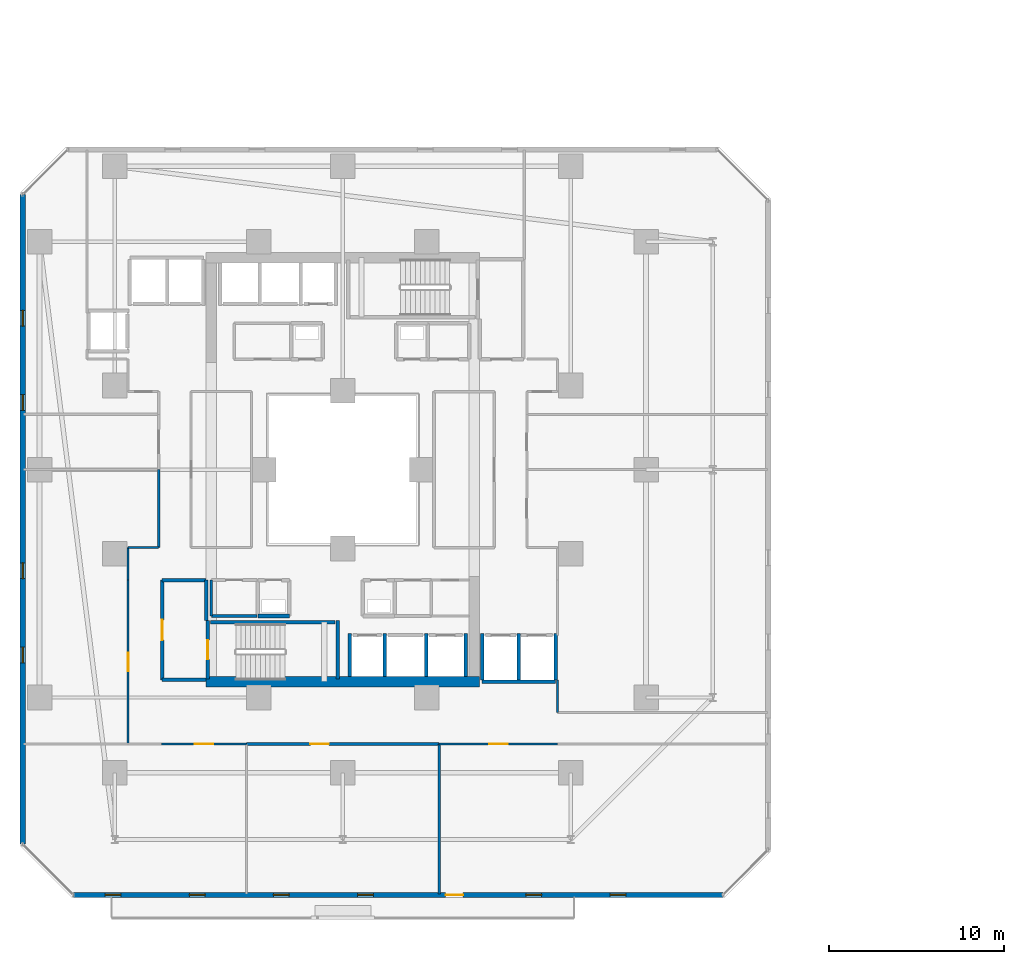
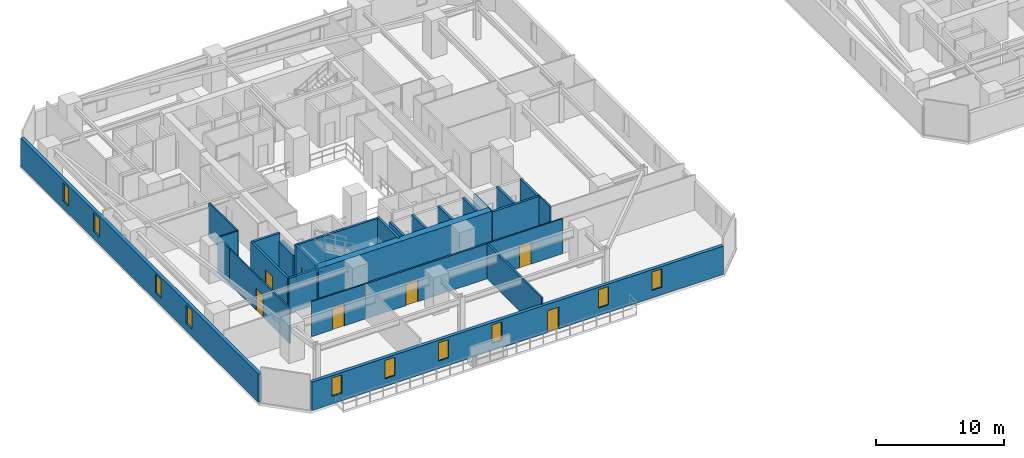
# One storey, part 21 of 35: 30 walls, 10 windows, 7 doors, 17 openings.
"""IFC4 building model written with IfcOpenShell, lengths in metres."""

from ifc_helpers import new_model, si_unit, direction, frame, frame_2d, origin, place, context, subcontext, project, spatial, rectangle, extrude, material, layer, layer_set, type_object, element, fill, save


model = new_model("IFC4")

# Units and contexts
model_context = context("Model", 3, precision=1e-05, world=origin(), true_north=direction((0.0, 1.0)))
body_context = subcontext(model_context, "Body", "Model", "MODEL_VIEW")
ifc_project = project(units=[si_unit("LENGTHUNIT", "METRE"), si_unit("AREAUNIT", "SQUARE_METRE"), si_unit("VOLUMEUNIT", "CUBIC_METRE"), si_unit("PLANEANGLEUNIT", "RADIAN"), si_unit("MASSUNIT", "GRAM", prefix="KILO")], contexts=[model_context])

# Site, building, storey
site_placement = place(None, origin())
site = spatial("IfcSite", under=ifc_project, at=site_placement, CompositionType="ELEMENT")
building_placement = place(site_placement, origin())
building = spatial("IfcBuilding", under=site, at=building_placement, Name="Thornwick Lancets Civic Towers", CompositionType="ELEMENT")
storey_placement = place(building_placement, frame((0.0, 0.0, 64.5)))
storey = spatial("IfcBuildingStorey", under=building, at=storey_placement, Name="L16", CompositionType="ELEMENT", Elevation=64.5)

# Walls
ifc_material_1 = material(Name="Concrete blockwork C40/50", Category="masonry")
ifc_layer_1 = layer(ifc_material_1, 0.199951171875, Name="Concrete blockwork C40/50")
ifc_layer_set_1 = layer_set([ifc_layer_1], Name="Concrete blockwork C40/50")
wall_type_1 = type_object("IfcWallType", Name="WALL_COMP_200", PredefinedType="STANDARD", material=ifc_layer_set_1)
for number, where, z_axis, x_axis, name in (
    (1, (27.89990234375, 15.2119140625, 0.0), (0.0, 0.0, 1.0), (0.0, 1.0, 0.0), "L16 Hoistway Shaft Wall FL-A1 E"),
    (2, (25.89990234375, 15.2119140625, 0.0), (0.0, 0.0, 1.0), (0.0, 1.0, 0.0), "L16 Hoistway Shaft Wall FL-A1 W"),
    (3, (30.25, 15.2119140625, 0.0), (0.0, 0.0, 1.0), (0.0, 1.0, 0.0), "L16 Hoistway Shaft Wall PL-AH1 E"),
    (4, (32.5, 15.2119140625, 0.0), (0.0, 0.0, 1.0), (0.0, 1.0, 0.0), "L16 Hoistway Shaft Wall PL-AL1 E"),
):
    element("IfcWall", number, at=place(storey_placement, frame(where, z_axis=z_axis, x_axis=x_axis)), inside=storey, type_object=wall_type_1, Name=name, PredefinedType="STANDARD", context=body_context, shape_type="SweptSolid", body=[
        extrude(rectangle(XDim=2.43603515625, YDim=0.199951171875, at=frame_2d((1.218017578125, 0.0))), origin(), (0.0, 0.0, 1.0), 3.340087890625),
    ])
wall_1_placement = place(storey_placement, frame((33.451904296875, 14.89990234375, 0.0), z_axis=(0.0, 0.0, 1.0), x_axis=(1.0, 0.0, 0.0)))
element("IfcWall", 5, at=wall_1_placement, inside=storey, type_object=wall_type_1, Name="L16 Hoistway Shaft Wall PL-AL2 S", PredefinedType="STANDARD", context=body_context, shape_type="SweptSolid", body=[
    extrude(rectangle(XDim=4.196044921875, YDim=0.199951171875, at=frame_2d((2.09814453125, 0.0))), origin(), (0.0, 0.0, 1.0), 3.340087890625),
])
for number, where, z_axis, x_axis, name in (
    (6, (35.52490234375, 15.011962890625, 0.0), (0.0, 0.0, 1.0), (0.0, 1.0, 0.0), "L16 Hoistway Shaft Wall PL-AL2 E"),
    (7, (33.449951171875, 15.011962890625, 0.0), (0.0, 0.0, 1.0), (0.0, 1.0, 0.0), "L16 Hoistway Shaft Wall PL-AL2 W"),
    (8, (37.64990234375, 15.011962890625, 0.0), (0.0, 0.0, 1.0), (0.0, 1.0, 0.0), "L16 Hoistway Shaft Wall PL-AL3 E"),
):
    element("IfcWall", number, at=place(storey_placement, frame(where, z_axis=z_axis, x_axis=x_axis)), inside=storey, type_object=wall_type_1, Name=name, PredefinedType="STANDARD", context=body_context, shape_type="SweptSolid", body=[
        extrude(rectangle(XDim=2.635986328125, YDim=0.199951171875, at=frame_2d((1.31787109375, 0.0))), origin(), (0.0, 0.0, 1.0), 3.340087890625),
    ])
wall_2_placement = place(storey_placement, frame((15.199951171875, 15.0, 0.0), z_axis=(0.0, 0.0, 1.0), x_axis=(1.0, 0.0, 0.0)))
element("IfcWall", 9, at=wall_2_placement, inside=storey, type_object=wall_type_1, Name="L16 Partition L16-A-FFLOB1 E1", PredefinedType="STANDARD", context=body_context, shape_type="SweptSolid", body=[
    extrude(rectangle(XDim=2.5, YDim=0.199951171875, at=frame_2d((1.25, 0.0))), origin(), (0.0, 0.0, 1.0), 3.340087890625),
])
wall_3_placement = place(storey_placement, frame((17.699951171875, 18.39990234375, 0.0), z_axis=(0.0, 0.0, 1.0), x_axis=(0.0, 1.0, 0.0)))
element("IfcWall", 10, at=wall_3_placement, inside=storey, type_object=wall_type_1, Name="L16 Partition L16-A-FFLOB1 E2", PredefinedType="STANDARD", context=body_context, shape_type="SweptSolid", body=[
    extrude(rectangle(XDim=2.300048828125, YDim=0.199951171875, at=frame_2d((1.14990234375, 0.0))), origin(), (0.0, 0.0, 1.0), 2.544921875),
])
wall_4_placement = place(storey_placement, frame((17.699951171875, 20.699951171875, 0.0), z_axis=(0.0, 0.0, 1.0), x_axis=(-1.0, 0.0, 0.0)))
element("IfcWall", 11, at=wall_4_placement, inside=storey, type_object=wall_type_1, Name="L16 Partition L16-A-FFLOB1 E3", PredefinedType="STANDARD", context=body_context, shape_type="SweptSolid", body=[
    extrude(rectangle(XDim=2.5, YDim=0.199951171875, at=frame_2d((1.25, 0.0))), origin(), (0.0, 0.0, 1.0), 3.340087890625),
])

# Wall, opening, door
wall_5_placement = place(storey_placement, frame((15.199951171875, 20.699951171875, 0.0), z_axis=(0.0, 0.0, 1.0), x_axis=(0.0, -1.0, 0.0)))
wall_5 = element("IfcWall", 12, at=wall_5_placement, inside=storey, type_object=wall_type_1, Name="L16 Partition L16-A-FFLOB1 E4", PredefinedType="STANDARD", context=body_context, shape_type="SweptSolid", body=[
    extrude(rectangle(XDim=5.699951171875, YDim=0.199951171875, at=frame_2d((2.85009765625, 0.0))), origin(), (0.0, 0.0, 1.0), 3.340087890625),
])
opening_1_placement = place(wall_5_placement, frame((2.27490234375, 0.0, 0.0)))
opening_1 = element("IfcOpeningElement", 13, at=opening_1_placement, cuts=wall_5, Name="Opening D-L16-0753", PredefinedType="OPENING", context=body_context, shape_type="SweptSolid", body=[
    extrude(rectangle(XDim=1.14990234375, YDim=2.10009765625, at=frame_2d((0.574951171875, 1.050048828125))), frame((0.0, 0.10986328125, 0.0), z_axis=(0.0, -1.0, 0.0), x_axis=(1.0, 0.0, 0.0)), (0.0, 0.0, 1.0), 0.219970703125),
])
ifc_material_2 = material(Name="Glazed fire-resisting steel", Category="steel")
door_type_1 = type_object("IfcDoorType", Name="DOOR_LOBBY_FD60", OperationType="NOTDEFINED", PredefinedType="DOOR", material=ifc_material_2)
door_1_placement = place(opening_1_placement, origin())
door_1 = element("IfcDoor", 14, at=door_1_placement, inside=storey, type_object=door_type_1, Name="L16 South Firefighting Lobby 1 Door", OperationType="SINGLE_SWING_RIGHT", OverallHeight=2.10009765625, OverallWidth=1.14990234375, PredefinedType="DOOR", context=body_context, shape_type="SweptSolid", body=[
    extrude(rectangle(XDim=1.14990234375, YDim=2.10009765625, at=frame_2d((0.574951171875, 1.050048828125))), frame((0.0, 0.02490234375, 0.0), z_axis=(0.0, -1.0, 0.0), x_axis=(1.0, 0.0, 0.0)), (0.0, 0.0, 1.0), 0.050048828125),
])
fill(opening_1, door_1)

# Walls
wall_6_placement = place(storey_placement, frame((20.64990234375, 18.64990234375, 0.0), z_axis=(0.0, 0.0, 1.0), x_axis=(1.0, 0.0, 0.0)))
element("IfcWall", 15, at=wall_6_placement, inside=storey, type_object=wall_type_1, Name="L16 Partition L16-A-RISER1 E1", PredefinedType="STANDARD", context=body_context, shape_type="SweptSolid", body=[
    extrude(rectangle(XDim=1.800048828125, YDim=0.199951171875, at=frame_2d((0.89990234375, 0.0))), origin(), (0.0, 0.0, 1.0), 3.340087890625),
])
ifc_material_3 = material(Name="Concrete C60/75", Category="concrete")
ifc_layer_2 = layer(ifc_material_3, 0.60009765625, Name="Concrete C60/75")
ifc_layer_set_2 = layer_set([ifc_layer_2], Name="Concrete C60/75")
wall_type_2 = type_object("IfcWallType", Name="WALL_CORE_600", PredefinedType="SHEAR", material=ifc_layer_set_2)
wall_7_placement = place(storey_placement, frame((17.699951171875, 14.89990234375, 0.0), z_axis=(0.0, 0.0, 1.0), x_axis=(1.0, 0.0, 0.0)))
element("IfcWall", 16, at=wall_7_placement, inside=storey, type_object=wall_type_2, Name="L16 Split Core A1 Shear Wall S", PredefinedType="SHEAR", context=body_context, shape_type="SweptSolid", body=[
    extrude(rectangle(XDim=15.60009765625, YDim=0.60009765625, at=frame_2d((7.800048828125, 0.0))), origin(), (0.0, 0.0, 1.0), 3.60009765625),
])

# Wall, openings, door, windows
ifc_material_4 = material(Name="Insulated russet terracotta rainscreen on concrete C40/50", Category="masonry")
ifc_layer_3 = layer(ifc_material_4, 0.300048828125, Name="Insulated russet terracotta rainscreen on concrete C40/50")
ifc_layer_set_3 = layer_set([ifc_layer_3], Name="Insulated russet terracotta rainscreen on concrete C40/50")
wall_type_3 = type_object("IfcWallType", Name="WALL_EXT_RUSSET_300", PredefinedType="STANDARD", material=ifc_layer_set_3)
wall_8_placement = place(storey_placement, frame((10.14453125, 2.736328125, 0.0), z_axis=(0.0, 0.0, 1.0), x_axis=(0.999999999457, -3.2959355e-05, 0.0)))
wall_8 = element("IfcWall", 17, at=wall_8_placement, inside=storey, type_object=wall_type_3, Name="L16 Tower A Terracotta Facade Wall E0", PredefinedType="STANDARD", context=body_context, shape_type="SweptSolid", body=[
    extrude(rectangle(XDim=37.03662109375, YDim=0.300048828125, at=frame_2d((18.518310546875, 0.0))), origin(), (0.0, 0.0, 1.0), 2.699951171875),
])
opening_2_placement = place(wall_8_placement, frame((21.21826171875, 0.0, 0.0)))
opening_2 = element("IfcOpeningElement", 18, at=opening_2_placement, cuts=wall_8, Name="Opening D-BL-L16-AS", PredefinedType="OPENING", context=body_context, shape_type="SweptSolid", body=[
    extrude(rectangle(XDim=1.0, YDim=2.080078125, at=frame_2d((0.5, 1.0400390625))), frame((0.0, 0.16015625, 0.0), z_axis=(0.0, -1.0, 0.0), x_axis=(1.0, 0.0, 0.0)), (0.0, 0.0, 1.0), 0.320068359375),
])
opening_3_placement = place(wall_8_placement, frame((1.800048828125, 0.0, 0.719970703125)))
opening_3 = element("IfcOpeningElement", 19, at=opening_3_placement, cuts=wall_8, Name="Opening WL-01", PredefinedType="OPENING", context=body_context, shape_type="SweptSolid", body=[
    extrude(rectangle(XDim=0.89990234375, YDim=1.75, at=frame_2d((0.449951171875, 0.875))), frame((0.0, 0.16015625, 0.0), z_axis=(0.0, -1.0, 0.0), x_axis=(1.0, 0.0, 0.0)), (0.0, 0.0, 1.0), 0.320068359375),
])
opening_4_placement = place(wall_8_placement, frame((6.60009765625, 0.0, 0.719970703125)))
opening_4 = element("IfcOpeningElement", 20, at=opening_4_placement, cuts=wall_8, Name="Opening WL-01", PredefinedType="OPENING", context=body_context, shape_type="SweptSolid", body=[
    extrude(rectangle(XDim=0.89990234375, YDim=1.75, at=frame_2d((0.449951171875, 0.875))), frame((0.0, 0.16015625, 0.0), z_axis=(0.0, -1.0, 0.0), x_axis=(1.0, 0.0, 0.0)), (0.0, 0.0, 1.0), 0.320068359375),
])
opening_5_placement = place(wall_8_placement, frame((11.39990234375, 0.0, 0.719970703125)))
opening_5 = element("IfcOpeningElement", 21, at=opening_5_placement, cuts=wall_8, Name="Opening WL-01", PredefinedType="OPENING", context=body_context, shape_type="SweptSolid", body=[
    extrude(rectangle(XDim=0.89990234375, YDim=1.75, at=frame_2d((0.449951171875, 0.875))), frame((0.0, 0.16015625, 0.0), z_axis=(0.0, -1.0, 0.0), x_axis=(1.0, 0.0, 0.0)), (0.0, 0.0, 1.0), 0.320068359375),
])
opening_6_placement = place(wall_8_placement, frame((16.199951171875, 0.0, 0.719970703125)))
opening_6 = element("IfcOpeningElement", 22, at=opening_6_placement, cuts=wall_8, Name="Opening WL-01", PredefinedType="OPENING", context=body_context, shape_type="SweptSolid", body=[
    extrude(rectangle(XDim=0.89990234375, YDim=1.75, at=frame_2d((0.449951171875, 0.875))), frame((0.0, 0.16015625, 0.0), z_axis=(0.0, -1.0, 0.0), x_axis=(1.0, 0.0, 0.0)), (0.0, 0.0, 1.0), 0.320068359375),
])
opening_7_placement = place(wall_8_placement, frame((25.800048828125, 0.0, 0.719970703125)))
opening_7 = element("IfcOpeningElement", 23, at=opening_7_placement, cuts=wall_8, Name="Opening WL-01", PredefinedType="OPENING", context=body_context, shape_type="SweptSolid", body=[
    extrude(rectangle(XDim=0.89990234375, YDim=1.75, at=frame_2d((0.449951171875, 0.875))), frame((0.0, 0.16015625, 0.0), z_axis=(0.0, -1.0, 0.0), x_axis=(1.0, 0.0, 0.0)), (0.0, 0.0, 1.0), 0.320068359375),
])
opening_8_placement = place(wall_8_placement, frame((30.60009765625, 0.0, 0.719970703125)))
opening_8 = element("IfcOpeningElement", 24, at=opening_8_placement, cuts=wall_8, Name="Opening WL-01", PredefinedType="OPENING", context=body_context, shape_type="SweptSolid", body=[
    extrude(rectangle(XDim=0.89990234375, YDim=1.75, at=frame_2d((0.449951171875, 0.875))), frame((0.0, 0.16015625, 0.0), z_axis=(0.0, -1.0, 0.0), x_axis=(1.0, 0.0, 0.0)), (0.0, 0.0, 1.0), 0.320068359375),
])
ifc_material_5 = material(Name="Thermally broken glazed loggia doorset")
door_type_2 = type_object("IfcDoorType", Name="DOOR_BALC_1000", OperationType="NOTDEFINED", PredefinedType="DOOR", material=ifc_material_5)
door_2_placement = place(opening_2_placement, origin())
door_2 = element("IfcDoor", 25, at=door_2_placement, inside=storey, type_object=door_type_2, Name="L16 Tower A Loggia Balcony Door S", OperationType="SINGLE_SWING_LEFT", OverallHeight=2.080078125, OverallWidth=1.0, PredefinedType="DOOR", context=body_context, shape_type="SweptSolid", body=[
    extrude(rectangle(XDim=1.0, YDim=2.080078125, at=frame_2d((0.5, 1.0400390625))), frame((0.0, 0.02490234375, 0.0), z_axis=(0.0, -1.0, 0.0), x_axis=(1.0, 0.0, 0.0)), (0.0, 0.0, 1.0), 0.050048828125),
])
fill(opening_2, door_2)
ifc_material_6 = material(Name="Clear low-e double glazing in bronze frame", Category="glass")
window_type = type_object("IfcWindowType", Name="WIN_LANCET_900", PartitioningType="SINGLE_PANEL", PredefinedType="WINDOW", material=ifc_material_6)
window_1_placement = place(opening_3_placement, origin())
window_1 = element("IfcWindow", 26, at=window_1_placement, inside=storey, type_object=window_type, Name="L16 Tower A Staggered Lancet Window E0-1", OverallHeight=1.75, OverallWidth=0.89990234375, PartitioningType="SINGLE_PANEL", PredefinedType="WINDOW", context=body_context, shape_type="SweptSolid", body=[
    extrude(rectangle(XDim=0.89990234375, YDim=1.75, at=frame_2d((0.449951171875, 0.875))), frame((0.0, 0.030029296875, 0.0), z_axis=(0.0, -1.0, 0.0), x_axis=(1.0, 0.0, 0.0)), (0.0, 0.0, 1.0), 0.06005859375),
])
fill(opening_3, window_1)
window_2_placement = place(opening_4_placement, origin())
window_2 = element("IfcWindow", 27, at=window_2_placement, inside=storey, type_object=window_type, Name="L16 Tower A Staggered Lancet Window E0-2", OverallHeight=1.75, OverallWidth=0.89990234375, PartitioningType="SINGLE_PANEL", PredefinedType="WINDOW", context=body_context, shape_type="SweptSolid", body=[
    extrude(rectangle(XDim=0.89990234375, YDim=1.75, at=frame_2d((0.449951171875, 0.875))), frame((0.0, 0.030029296875, 0.0), z_axis=(0.0, -1.0, 0.0), x_axis=(1.0, 0.0, 0.0)), (0.0, 0.0, 1.0), 0.06005859375),
])
fill(opening_4, window_2)
window_3_placement = place(opening_5_placement, origin())
window_3 = element("IfcWindow", 28, at=window_3_placement, inside=storey, type_object=window_type, Name="L16 Tower A Staggered Lancet Window E0-3", OverallHeight=1.75, OverallWidth=0.89990234375, PartitioningType="SINGLE_PANEL", PredefinedType="WINDOW", context=body_context, shape_type="SweptSolid", body=[
    extrude(rectangle(XDim=0.89990234375, YDim=1.75, at=frame_2d((0.449951171875, 0.875))), frame((0.0, 0.030029296875, 0.0), z_axis=(0.0, -1.0, 0.0), x_axis=(1.0, 0.0, 0.0)), (0.0, 0.0, 1.0), 0.06005859375),
])
fill(opening_5, window_3)
window_4_placement = place(opening_6_placement, origin())
window_4 = element("IfcWindow", 29, at=window_4_placement, inside=storey, type_object=window_type, Name="L16 Tower A Staggered Lancet Window E0-4", OverallHeight=1.75, OverallWidth=0.89990234375, PartitioningType="SINGLE_PANEL", PredefinedType="WINDOW", context=body_context, shape_type="SweptSolid", body=[
    extrude(rectangle(XDim=0.89990234375, YDim=1.75, at=frame_2d((0.449951171875, 0.875))), frame((0.0, 0.030029296875, 0.0), z_axis=(0.0, -1.0, 0.0), x_axis=(1.0, 0.0, 0.0)), (0.0, 0.0, 1.0), 0.06005859375),
])
fill(opening_6, window_4)
window_5_placement = place(opening_7_placement, origin())
window_5 = element("IfcWindow", 30, at=window_5_placement, inside=storey, type_object=window_type, Name="L16 Tower A Staggered Lancet Window E0-5", OverallHeight=1.75, OverallWidth=0.89990234375, PartitioningType="SINGLE_PANEL", PredefinedType="WINDOW", context=body_context, shape_type="SweptSolid", body=[
    extrude(rectangle(XDim=0.89990234375, YDim=1.75, at=frame_2d((0.449951171875, 0.875))), frame((0.0, 0.030029296875, 0.0), z_axis=(0.0, -1.0, 0.0), x_axis=(1.0, 0.0, 0.0)), (0.0, 0.0, 1.0), 0.06005859375),
])
fill(opening_7, window_5)
window_6_placement = place(opening_8_placement, origin())
window_6 = element("IfcWindow", 31, at=window_6_placement, inside=storey, type_object=window_type, Name="L16 Tower A Staggered Lancet Window E0-6", OverallHeight=1.75, OverallWidth=0.89990234375, PartitioningType="SINGLE_PANEL", PredefinedType="WINDOW", context=body_context, shape_type="SweptSolid", body=[
    extrude(rectangle(XDim=0.89990234375, YDim=1.75, at=frame_2d((0.449951171875, 0.875))), frame((0.0, 0.030029296875, 0.0), z_axis=(0.0, -1.0, 0.0), x_axis=(1.0, 0.0, 0.0)), (0.0, 0.0, 1.0), 0.06005859375),
])
fill(opening_8, window_6)

# Wall, openings, windows
wall_9_placement = place(storey_placement, frame((7.235107421875, 42.68115234375, 0.0), z_axis=(0.0, 0.0, 1.0), x_axis=(3.2959355e-05, -0.999999999457, 0.0)))
wall_9 = element("IfcWall", 32, at=wall_9_placement, inside=storey, type_object=wall_type_3, Name="L16 Tower A Terracotta Facade Wall E6", PredefinedType="STANDARD", context=body_context, shape_type="SweptSolid", body=[
    extrude(rectangle(XDim=37.03662109375, YDim=0.300048828125, at=frame_2d((18.518310546875, 0.0))), origin(), (0.0, 0.0, 1.0), 2.699951171875),
])
opening_9_placement = place(wall_9_placement, frame((6.60009765625, 0.0, 0.719970703125)))
opening_9 = element("IfcOpeningElement", 33, at=opening_9_placement, cuts=wall_9, Name="Opening WL-01", PredefinedType="OPENING", context=body_context, shape_type="SweptSolid", body=[
    extrude(rectangle(XDim=0.89990234375, YDim=1.75, at=frame_2d((0.449951171875, 0.875))), frame((0.0, 0.16015625, 0.0), z_axis=(0.0, -1.0, 0.0), x_axis=(1.0, 0.0, 0.0)), (0.0, 0.0, 1.0), 0.320068359375),
])
opening_10_placement = place(wall_9_placement, frame((11.39990234375, 0.0, 0.719970703125)))
opening_10 = element("IfcOpeningElement", 34, at=opening_10_placement, cuts=wall_9, Name="Opening WL-01", PredefinedType="OPENING", context=body_context, shape_type="SweptSolid", body=[
    extrude(rectangle(XDim=0.89990234375, YDim=1.75, at=frame_2d((0.449951171875, 0.875))), frame((0.0, 0.16015625, 0.0), z_axis=(0.0, -1.0, 0.0), x_axis=(1.0, 0.0, 0.0)), (0.0, 0.0, 1.0), 0.320068359375),
])
opening_11_placement = place(wall_9_placement, frame((21.0, 0.0, 0.719970703125)))
opening_11 = element("IfcOpeningElement", 35, at=opening_11_placement, cuts=wall_9, Name="Opening WL-01", PredefinedType="OPENING", context=body_context, shape_type="SweptSolid", body=[
    extrude(rectangle(XDim=0.89990234375, YDim=1.75, at=frame_2d((0.449951171875, 0.875))), frame((0.0, 0.16015625, 0.0), z_axis=(0.0, -1.0, 0.0), x_axis=(1.0, 0.0, 0.0)), (0.0, 0.0, 1.0), 0.320068359375),
])
opening_12_placement = place(wall_9_placement, frame((25.800048828125, 0.0, 0.719970703125)))
opening_12 = element("IfcOpeningElement", 36, at=opening_12_placement, cuts=wall_9, Name="Opening WL-01", PredefinedType="OPENING", context=body_context, shape_type="SweptSolid", body=[
    extrude(rectangle(XDim=0.89990234375, YDim=1.75, at=frame_2d((0.449951171875, 0.875))), frame((0.0, 0.16015625, 0.0), z_axis=(0.0, -1.0, 0.0), x_axis=(1.0, 0.0, 0.0)), (0.0, 0.0, 1.0), 0.320068359375),
])
window_7_placement = place(opening_9_placement, origin())
window_7 = element("IfcWindow", 37, at=window_7_placement, inside=storey, type_object=window_type, Name="L16 Tower A Staggered Lancet Window E6-1", OverallHeight=1.75, OverallWidth=0.89990234375, PartitioningType="SINGLE_PANEL", PredefinedType="WINDOW", context=body_context, shape_type="SweptSolid", body=[
    extrude(rectangle(XDim=0.89990234375, YDim=1.75, at=frame_2d((0.449951171875, 0.875))), frame((0.0, 0.030029296875, 0.0), z_axis=(0.0, -1.0, 0.0), x_axis=(1.0, 0.0, 0.0)), (0.0, 0.0, 1.0), 0.06005859375),
])
fill(opening_9, window_7)
window_8_placement = place(opening_10_placement, origin())
window_8 = element("IfcWindow", 38, at=window_8_placement, inside=storey, type_object=window_type, Name="L16 Tower A Staggered Lancet Window E6-2", OverallHeight=1.75, OverallWidth=0.89990234375, PartitioningType="SINGLE_PANEL", PredefinedType="WINDOW", context=body_context, shape_type="SweptSolid", body=[
    extrude(rectangle(XDim=0.89990234375, YDim=1.75, at=frame_2d((0.449951171875, 0.875))), frame((0.0, 0.030029296875, 0.0), z_axis=(0.0, -1.0, 0.0), x_axis=(1.0, 0.0, 0.0)), (0.0, 0.0, 1.0), 0.06005859375),
])
fill(opening_10, window_8)
window_9_placement = place(opening_11_placement, origin())
window_9 = element("IfcWindow", 39, at=window_9_placement, inside=storey, type_object=window_type, Name="L16 Tower A Staggered Lancet Window E6-3", OverallHeight=1.75, OverallWidth=0.89990234375, PartitioningType="SINGLE_PANEL", PredefinedType="WINDOW", context=body_context, shape_type="SweptSolid", body=[
    extrude(rectangle(XDim=0.89990234375, YDim=1.75, at=frame_2d((0.449951171875, 0.875))), frame((0.0, 0.030029296875, 0.0), z_axis=(0.0, -1.0, 0.0), x_axis=(1.0, 0.0, 0.0)), (0.0, 0.0, 1.0), 0.06005859375),
])
fill(opening_11, window_9)
window_10_placement = place(opening_12_placement, origin())
window_10 = element("IfcWindow", 40, at=window_10_placement, inside=storey, type_object=window_type, Name="L16 Tower A Staggered Lancet Window E6-4", OverallHeight=1.75, OverallWidth=0.89990234375, PartitioningType="SINGLE_PANEL", PredefinedType="WINDOW", context=body_context, shape_type="SweptSolid", body=[
    extrude(rectangle(XDim=0.89990234375, YDim=1.75, at=frame_2d((0.449951171875, 0.875))), frame((0.0, 0.030029296875, 0.0), z_axis=(0.0, -1.0, 0.0), x_axis=(1.0, 0.0, 0.0)), (0.0, 0.0, 1.0), 0.06005859375),
])
fill(opening_12, window_10)

# Walls
ifc_material_7 = material(Name="Acoustic gypsum board partition")
ifc_layer_4 = layer(ifc_material_7, 0.1201171875, Name="Acoustic gypsum board partition")
ifc_layer_set_4 = layer_set([ifc_layer_4], Name="Acoustic gypsum board partition")
wall_type_4 = type_object("IfcWallType", Name="WALL_PART_120", PredefinedType="PARTITIONING", material=ifc_layer_set_4)
wall_10_placement = place(storey_placement, frame((15.0, 27.0, 0.0), z_axis=(0.0, 0.0, 1.0), x_axis=(0.0, -1.0, 0.0)))
element("IfcWall", 41, at=wall_10_placement, inside=storey, type_object=wall_type_4, Name="L16 Partition L16-A-W1 E1", PredefinedType="PARTITIONING", context=body_context, shape_type="SweptSolid", body=[
    extrude(rectangle(XDim=4.449951171875, YDim=0.1201171875, at=frame_2d((2.22509765625, 0.0))), origin(), (0.0, 0.0, 1.0), 3.340087890625),
])
wall_11_placement = place(storey_placement, frame((15.0, 22.550048828125, 0.0), z_axis=(0.0, 0.0, 1.0), x_axis=(-1.0, 0.0, 0.0)))
element("IfcWall", 42, at=wall_11_placement, inside=storey, type_object=wall_type_4, Name="L16 Partition L16-A-W1 E2", PredefinedType="PARTITIONING", context=body_context, shape_type="SweptSolid", body=[
    extrude(rectangle(XDim=1.75, YDim=0.1201171875, at=frame_2d((0.875, 0.0))), origin(), (0.0, 0.0, 1.0), 3.340087890625),
])
wall_12_placement = place(storey_placement, frame((13.25, 22.550048828125, 0.0), z_axis=(0.0, 0.0, 1.0), x_axis=(0.0, -1.0, 0.0)))
element("IfcWall", 43, at=wall_12_placement, inside=storey, type_object=wall_type_4, Name="L16 Partition L16-A-W1 E3", PredefinedType="PARTITIONING", context=body_context, shape_type="SweptSolid", body=[
    extrude(rectangle(XDim=1.85009765625, YDim=0.1201171875, at=frame_2d((0.925048828125, 0.0))), origin(), (0.0, 0.0, 1.0), 3.340087890625),
])

# Wall, opening, door
wall_13_placement = place(storey_placement, frame((13.25, 20.699951171875, 0.0), z_axis=(0.0, 0.0, 1.0), x_axis=(0.0, -1.0, 0.0)))
wall_13 = element("IfcWall", 44, at=wall_13_placement, inside=storey, type_object=wall_type_4, Name="L16 Partition L16-A-W1 E4", PredefinedType="PARTITIONING", context=body_context, shape_type="SweptSolid", body=[
    extrude(rectangle(XDim=9.349853515625, YDim=0.1201171875, at=frame_2d((4.6748046875, 0.0))), origin(), (0.0, 0.0, 1.0), 3.340087890625),
])
opening_13_placement = place(wall_13_placement, frame((4.14990234375, 0.0, 0.0)))
opening_13 = element("IfcOpeningElement", 45, at=opening_13_placement, cuts=wall_13, Name="Opening D-L16-0775", PredefinedType="OPENING", context=body_context, shape_type="SweptSolid", body=[
    extrude(rectangle(XDim=1.050048828125, YDim=2.10009765625, at=frame_2d((0.52490234375, 1.050048828125))), frame((0.0, 0.070068359375, 0.0), z_axis=(0.0, -1.0, 0.0), x_axis=(1.0, 0.0, 0.0)), (0.0, 0.0, 1.0), 0.14013671875),
])
ifc_material_8 = material(Name="Glazed European oak executive doorset")
door_type_3 = type_object("IfcDoorType", Name="DOOR_OFFICE_1050", OperationType="NOTDEFINED", PredefinedType="DOOR", material=ifc_material_8)
door_3_placement = place(opening_13_placement, origin())
door_3 = element("IfcDoor", 46, at=door_3_placement, inside=storey, type_object=door_type_3, Name="L16 Tower A Ministry Directorate Office W1 Door", OperationType="SINGLE_SWING_RIGHT", OverallHeight=2.10009765625, OverallWidth=1.050048828125, PredefinedType="DOOR", context=body_context, shape_type="SweptSolid", body=[
    extrude(rectangle(XDim=1.050048828125, YDim=2.10009765625, at=frame_2d((0.52490234375, 1.050048828125))), frame((0.0, 0.02490234375, 0.0), z_axis=(0.0, -1.0, 0.0), x_axis=(1.0, 0.0, 0.0)), (0.0, 0.0, 1.0), 0.050048828125),
])
fill(opening_13, door_3)

# Wall
wall_14_placement = place(storey_placement, frame((37.75, 13.14990234375, 0.0), z_axis=(0.0, 0.0, 1.0), x_axis=(0.0, 1.0, 0.0)))
element("IfcWall", 47, at=wall_14_placement, inside=storey, type_object=wall_type_4, Name="L16 Partition L16-A-E1 E8", PredefinedType="PARTITIONING", context=body_context, shape_type="SweptSolid", body=[
    extrude(rectangle(XDim=1.862060546875, YDim=0.1201171875, at=frame_2d((0.93115234375, 0.0))), origin(), (0.0, 0.0, 1.0), 3.340087890625),
])

# Wall, opening, door
wall_15_placement = place(storey_placement, frame((15.14990234375, 11.35009765625, 0.0), z_axis=(0.0, 0.0, 1.0), x_axis=(1.0, 0.0, 0.0)))
wall_15 = element("IfcWall", 48, at=wall_15_placement, inside=storey, type_object=wall_type_4, Name="L16 Partition L16-A-S-OFF1 E2", PredefinedType="PARTITIONING", context=body_context, shape_type="SweptSolid", body=[
    extrude(rectangle(XDim=4.85009765625, YDim=0.1201171875, at=frame_2d((2.425048828125, 0.0))), origin(), (0.0, 0.0, 1.0), 3.340087890625),
])
opening_14_placement = place(wall_15_placement, frame((1.89990234375, 0.0, 0.0)))
opening_14 = element("IfcOpeningElement", 49, at=opening_14_placement, cuts=wall_15, Name="Opening D-L16-0783", PredefinedType="OPENING", context=body_context, shape_type="SweptSolid", body=[
    extrude(rectangle(XDim=1.050048828125, YDim=2.10009765625, at=frame_2d((0.52490234375, 1.050048828125))), frame((0.0, 0.070068359375, 0.0), z_axis=(0.0, -1.0, 0.0), x_axis=(1.0, 0.0, 0.0)), (0.0, 0.0, 1.0), 0.14013671875),
])
door_4_placement = place(opening_14_placement, origin())
door_4 = element("IfcDoor", 50, at=door_4_placement, inside=storey, type_object=door_type_3, Name="L16 Tower A South-West Division Office Door", OperationType="SINGLE_SWING_RIGHT", OverallHeight=2.10009765625, OverallWidth=1.050048828125, PredefinedType="DOOR", context=body_context, shape_type="SweptSolid", body=[
    extrude(rectangle(XDim=1.050048828125, YDim=2.10009765625, at=frame_2d((0.52490234375, 1.050048828125))), frame((0.0, 0.02490234375, 0.0), z_axis=(0.0, -1.0, 0.0), x_axis=(1.0, 0.0, 0.0)), (0.0, 0.0, 1.0), 0.050048828125),
])
fill(opening_14, door_4)

wall_16_placement = place(storey_placement, frame((31.0, 11.35009765625, 0.0), z_axis=(0.0, 0.0, 1.0), x_axis=(1.0, 0.0, 0.0)))
wall_16 = element("IfcWall", 51, at=wall_16_placement, inside=storey, type_object=wall_type_4, Name="L16 Partition L16-A-S-OFF2 E3", PredefinedType="PARTITIONING", context=body_context, shape_type="SweptSolid", body=[
    extrude(rectangle(XDim=6.75, YDim=0.1201171875, at=frame_2d((3.375, 0.0))), origin(), (0.0, 0.0, 1.0), 3.340087890625),
])
opening_15_placement = place(wall_16_placement, frame((2.85009765625, 0.0, 0.0)))
opening_15 = element("IfcOpeningElement", 52, at=opening_15_placement, cuts=wall_16, Name="Opening D-L16-0785", PredefinedType="OPENING", context=body_context, shape_type="SweptSolid", body=[
    extrude(rectangle(XDim=1.050048828125, YDim=2.10009765625, at=frame_2d((0.52490234375, 1.050048828125))), frame((0.0, 0.070068359375, 0.0), z_axis=(0.0, -1.0, 0.0), x_axis=(1.0, 0.0, 0.0)), (0.0, 0.0, 1.0), 0.14013671875),
])
door_5_placement = place(opening_15_placement, origin())
door_5 = element("IfcDoor", 53, at=door_5_placement, inside=storey, type_object=door_type_3, Name="L16 Tower A South-East Division Office Door", OperationType="SINGLE_SWING_RIGHT", OverallHeight=2.10009765625, OverallWidth=1.050048828125, PredefinedType="DOOR", context=body_context, shape_type="SweptSolid", body=[
    extrude(rectangle(XDim=1.050048828125, YDim=2.10009765625, at=frame_2d((0.52490234375, 1.050048828125))), frame((0.0, 0.02490234375, 0.0), z_axis=(0.0, -1.0, 0.0), x_axis=(1.0, 0.0, 0.0)), (0.0, 0.0, 1.0), 0.050048828125),
])
fill(opening_15, door_5)

# Walls
ifc_material_9 = material(Name="Twin-stud acoustic gypsum board")
ifc_layer_5 = layer(ifc_material_9, 0.14990234375, Name="Twin-stud acoustic gypsum board")
ifc_layer_set_5 = layer_set([ifc_layer_5], Name="Twin-stud acoustic gypsum board")
wall_type_5 = type_object("IfcWallType", Name="WALL_PART_150", PredefinedType="PARTITIONING", material=ifc_layer_set_5)
wall_17_placement = place(storey_placement, frame((18.0, 18.64990234375, 0.0), z_axis=(0.0, 0.0, 1.0), x_axis=(1.0, 0.0, 0.0)))
element("IfcWall", 54, at=wall_17_placement, inside=storey, type_object=wall_type_5, Name="L16 Partition L16-A-AWC E1", PredefinedType="PARTITIONING", context=body_context, shape_type="SweptSolid", body=[
    extrude(rectangle(XDim=2.60009765625, YDim=0.14990234375, at=frame_2d((1.300048828125, 0.0))), origin(), (0.0, 0.0, 1.0), 3.340087890625),
])
wall_18_placement = place(storey_placement, frame((18.0, 20.699951171875, 0.0), z_axis=(0.0, 0.0, 1.0), x_axis=(0.0, -1.0, 0.0)))
element("IfcWall", 55, at=wall_18_placement, inside=storey, type_object=wall_type_5, Name="L16 Partition L16-A-AWC E4", PredefinedType="PARTITIONING", context=body_context, shape_type="SweptSolid", body=[
    extrude(rectangle(XDim=2.050048828125, YDim=0.14990234375, at=frame_2d((1.02490234375, 0.0))), origin(), (0.0, 0.0, 1.0), 2.544921875),
])
wall_19_placement = place(storey_placement, frame((31.0, 11.35009765625, 0.0), z_axis=(0.0, 0.0, 1.0), x_axis=(0.0, -1.0, 0.0)))
element("IfcWall", 56, at=wall_19_placement, inside=storey, type_object=wall_type_5, Name="L16 Partition L16-A-S-ARCH E1", PredefinedType="PARTITIONING", context=body_context, shape_type="SweptSolid", body=[
    extrude(rectangle(XDim=8.570068359375, YDim=0.14990234375, at=frame_2d((4.28515625, 0.0))), origin(), (0.0, 0.0, 1.0), 3.340087890625),
])

# Wall, opening, door
wall_20_placement = place(storey_placement, frame((20.0, 11.35009765625, 0.0), z_axis=(0.0, 0.0, 1.0), x_axis=(1.0, 0.0, 0.0)))
wall_20 = element("IfcWall", 57, at=wall_20_placement, inside=storey, type_object=wall_type_5, Name="L16 Partition L16-A-S-ARCH E4", PredefinedType="PARTITIONING", context=body_context, shape_type="SweptSolid", body=[
    extrude(rectangle(XDim=11.0, YDim=0.14990234375, at=frame_2d((5.5, 0.0))), origin(), (0.0, 0.0, 1.0), 3.340087890625),
])
opening_16_placement = place(wall_20_placement, frame((3.655029296875, 0.0, 0.0)))
opening_16 = element("IfcOpeningElement", 58, at=opening_16_placement, cuts=wall_20, Name="Opening D-L16-0784", PredefinedType="OPENING", context=body_context, shape_type="SweptSolid", body=[
    extrude(rectangle(XDim=1.050048828125, YDim=2.10009765625, at=frame_2d((0.52490234375, 1.050048828125))), frame((0.0, 0.0849609375, 0.0), z_axis=(0.0, -1.0, 0.0), x_axis=(1.0, 0.0, 0.0)), (0.0, 0.0, 1.0), 0.169921875),
])
door_6_placement = place(opening_16_placement, origin())
door_6 = element("IfcDoor", 59, at=door_6_placement, inside=storey, type_object=door_type_3, Name="L16 Tower A Registry and Records Archive Door", OperationType="SINGLE_SWING_LEFT", OverallHeight=2.10009765625, OverallWidth=1.050048828125, PredefinedType="DOOR", context=body_context, shape_type="SweptSolid", body=[
    extrude(rectangle(XDim=1.050048828125, YDim=2.10009765625, at=frame_2d((0.52490234375, 1.050048828125))), frame((0.0, 0.02490234375, 0.0), z_axis=(0.0, -1.0, 0.0), x_axis=(1.0, 0.0, 0.0)), (0.0, 0.0, 1.0), 0.050048828125),
])
fill(opening_16, door_6)

ifc_material_10 = material(Name="Concrete C40/50", Category="concrete")
ifc_layer_6 = layer(ifc_material_10, 0.199951171875, Name="Concrete C40/50")
ifc_layer_set_6 = layer_set([ifc_layer_6], Name="Concrete C40/50")
wall_type_6 = type_object("IfcWallType", Name="WALL_SHAFT_200", PredefinedType="SHEAR", material=ifc_layer_set_6)
wall_21_placement = place(storey_placement, frame((17.800048828125, 15.050048828125, 0.0), z_axis=(0.0, 0.0, 1.0), x_axis=(0.0, 1.0, 0.0)))
wall_21 = element("IfcWall", 60, at=wall_21_placement, inside=storey, type_object=wall_type_6, Name="L16 ST-A1 Fire Stair Core Wall NEAR", PredefinedType="SHEAR", context=body_context, shape_type="SweptSolid", body=[
    extrude(rectangle(XDim=3.349853515625, YDim=0.199951171875, at=frame_2d((1.6748046875, 0.0))), origin(), (0.0, 0.0, 1.0), 3.60009765625),
])
opening_17_placement = place(wall_21_placement, frame((1.125, 0.0, 0.0)))
opening_17 = element("IfcOpeningElement", 61, at=opening_17_placement, cuts=wall_21, Name="Opening D-ST-A1-L16", PredefinedType="OPENING", context=body_context, shape_type="SweptSolid", body=[
    extrude(rectangle(XDim=1.10009765625, YDim=2.10009765625, at=frame_2d((0.550048828125, 1.050048828125))), frame((0.0, 0.10986328125, 0.0), z_axis=(0.0, -1.0, 0.0), x_axis=(1.0, 0.0, 0.0)), (0.0, 0.0, 1.0), 0.219970703125),
])
ifc_material_11 = material(Name="Fire-resisting steel and hardwood", Category="steel")
door_type_4 = type_object("IfcDoorType", Name="DOOR_STAIR_FD60", OperationType="NOTDEFINED", PredefinedType="DOOR", material=ifc_material_11)
door_7_placement = place(opening_17_placement, origin())
door_7 = element("IfcDoor", 62, at=door_7_placement, inside=storey, type_object=door_type_4, Name="L16 ST-A1 Exit Stair Door", OperationType="SINGLE_SWING_RIGHT", OverallHeight=2.10009765625, OverallWidth=1.10009765625, PredefinedType="DOOR", context=body_context, shape_type="SweptSolid", body=[
    extrude(rectangle(XDim=1.10009765625, YDim=2.10009765625, at=frame_2d((0.550048828125, 1.050048828125))), frame((0.0, 0.02490234375, 0.0), z_axis=(0.0, -1.0, 0.0), x_axis=(1.0, 0.0, 0.0)), (0.0, 0.0, 1.0), 0.050048828125),
])
fill(opening_17, door_7)

# Walls
wall_22_placement = place(storey_placement, frame((25.199951171875, 18.39990234375, 0.0), z_axis=(0.0, 0.0, 1.0), x_axis=(0.0, -1.0, 0.0)))
element("IfcWall", 63, at=wall_22_placement, inside=storey, type_object=wall_type_6, Name="L16 ST-A1 Fire Stair Core Wall FAR", PredefinedType="SHEAR", context=body_context, shape_type="SweptSolid", body=[
    extrude(rectangle(XDim=3.349853515625, YDim=0.199951171875, at=frame_2d((1.6748046875, 0.0))), origin(), (0.0, 0.0, 1.0), 3.60009765625),
])
wall_23_placement = place(storey_placement, frame((25.050048828125, 18.297119140625, 0.0), z_axis=(0.0, 0.0, 1.0), x_axis=(-1.0, 0.0, 0.0)))
element("IfcWall", 64, at=wall_23_placement, inside=storey, type_object=wall_type_6, Name="L16 ST-A1 Fire Stair Core Wall RIGHT", PredefinedType="SHEAR", context=body_context, shape_type="SweptSolid", body=[
    extrude(rectangle(XDim=7.10009765625, YDim=0.199951171875, at=frame_2d((3.550048828125, 0.0))), origin(), (0.0, 0.0, 1.0), 3.60009765625),
])

save(model, "model.ifc")
